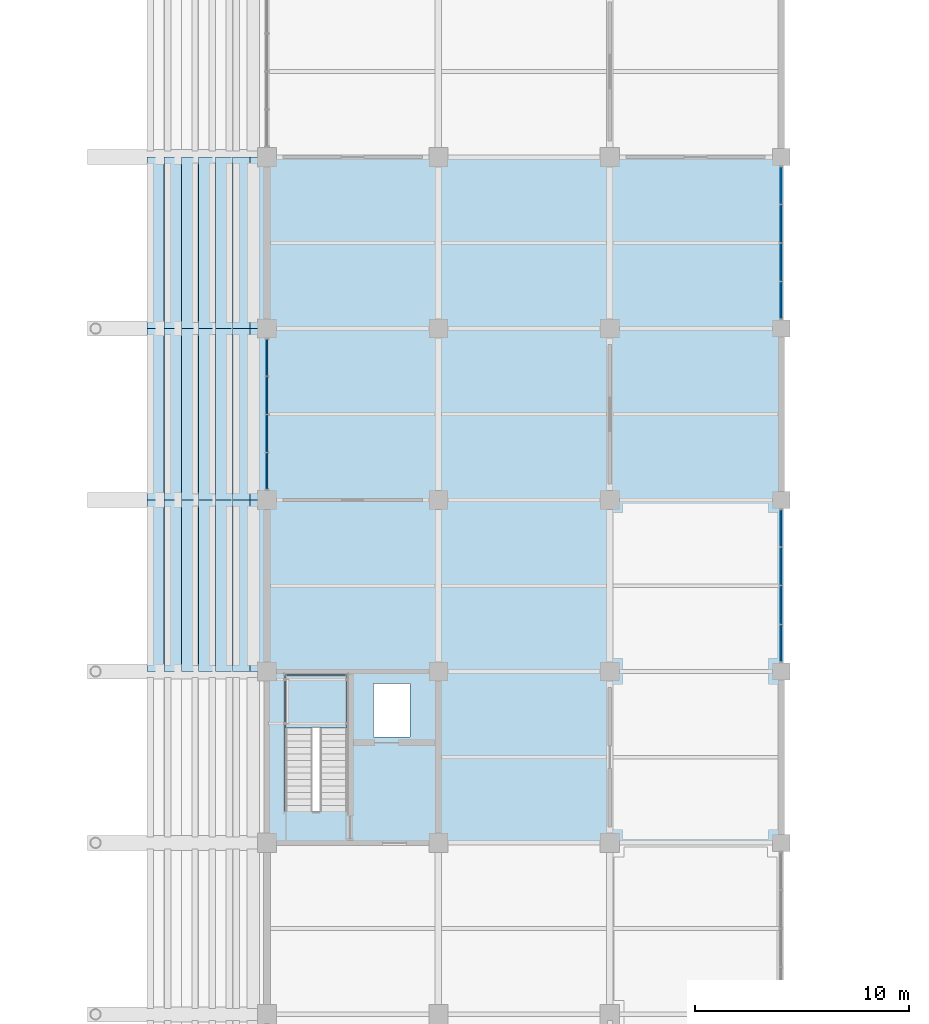
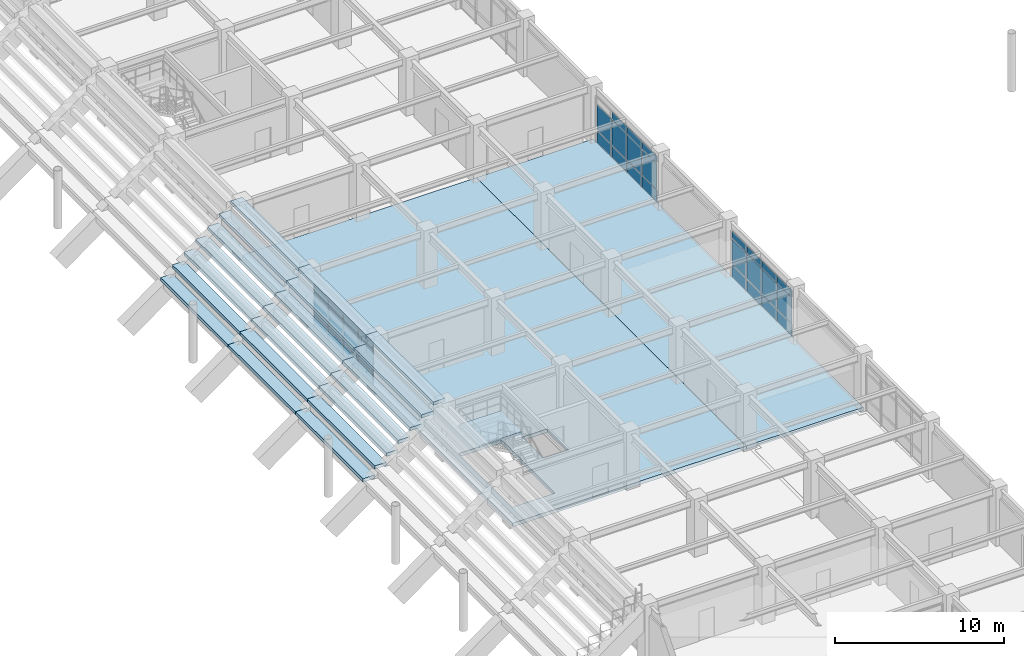
# One storey, part 75 of 118: 35 plates, 24 slabs, 4 elements without a shape of their own.
"""IFC4 building model written with IfcOpenShell, lengths in metres."""

from ifc_helpers import new_model, si_unit, direction, frame, origin, origin_2d, place, context, subcontext, project, spatial, polyline, rectangle, outline, extrude, material, layer, layer_set, type_object, element, aggregate, save


model = new_model("IFC4")

# Units and contexts
model_context = context("Model", 3, precision=1e-05, world=origin(), true_north=direction((0.0, 1.0)))
body_context = subcontext(model_context, "Body", "Model", "MODEL_VIEW")
ifc_project = project(units=[si_unit("LENGTHUNIT", "METRE"), si_unit("AREAUNIT", "SQUARE_METRE"), si_unit("VOLUMEUNIT", "CUBIC_METRE"), si_unit("PLANEANGLEUNIT", "RADIAN"), si_unit("MASSUNIT", "GRAM", prefix="KILO")], contexts=[model_context])

# Site, building, storey
site_placement = place(None, origin())
site = spatial("IfcSite", under=ifc_project, at=site_placement, CompositionType="ELEMENT")
building_placement = place(site_placement, origin())
building = spatial("IfcBuilding", under=site, at=building_placement, Name="Haebicheon Civic Stadium", CompositionType="ELEMENT")
storey_placement = place(building_placement, frame((0.0, 0.0, 14.39990234375)))
storey = spatial("IfcBuildingStorey", under=building, at=storey_placement, Name="L04", CompositionType="ELEMENT", Elevation=14.39990234375)

# Curtain wall, plates
ifc_material_1 = material(Name="Anodised aluminium and laminated glass", Category="aluminium")
ifc_layer_1 = layer(ifc_material_1, 0.179931640625, Name="Anodised aluminium and laminated glass")
ifc_layer_set_1 = layer_set([ifc_layer_1], Name="Anodised aluminium and laminated glass")
curtain_wall_type_1 = type_object("IfcCurtainWallType", Name="CW-7100x3100", PredefinedType="NOTDEFINED", material=ifc_layer_set_1)
curtain_wall_1_placement = place(storey_placement, origin())
curtain_wall_1 = element("IfcCurtainWall", 1, at=curtain_wall_1_placement, inside=storey, type_object=curtain_wall_type_1, material=ifc_layer_set_1, Name="L04 unitised curtain wall 144", PredefinedType="NOTDEFINED")
ifc_material_2 = material(Name="Double low-e acoustic laminated glass", Category="glass")
ifc_layer_2 = layer(ifc_material_2, 0.035888671875, Name="Double low-e acoustic laminated glass")
ifc_layer_set_2 = layer_set([ifc_layer_2], Name="Double low-e acoustic laminated glass")
plate_type_1 = type_object("IfcPlateType", Name="CWP-GLZ-36", PredefinedType="CURTAIN_PANEL", material=ifc_layer_set_2)
plate_1_placement = place(storey_placement, frame((144.0, 81.35498046875, 0.93505859375), z_axis=(0.0, 0.0, 1.0), x_axis=(0.0, 1.0, 0.0)))
plate_1 = element("IfcPlate", 2, at=plate_1_placement, type_object=plate_type_1, material=ifc_layer_set_2, Name="CW-L04-144 vision panel 1.2", PredefinedType="CURTAIN_PANEL", context=body_context, shape_type="SweptSolid", body=[
    extrude(rectangle(XDim=1.669921875, YDim=0.035888671875, at=origin_2d()), origin(), (0.0, 0.0, 1.0), 1.580078125),
])
plate_2_placement = place(storey_placement, frame((144.0, 83.112060546875, 0.93505859375), z_axis=(0.0, 0.0, 1.0), x_axis=(0.0, 1.0, 0.0)))
plate_2 = element("IfcPlate", 3, at=plate_2_placement, type_object=plate_type_1, material=ifc_layer_set_2, Name="CW-L04-144 vision panel 2.2", PredefinedType="CURTAIN_PANEL", context=body_context, shape_type="SweptSolid", body=[
    extrude(rectangle(XDim=1.705078125, YDim=0.035888671875, at=origin_2d()), origin(), (0.0, 0.0, 1.0), 1.580078125),
])
plate_3_placement = place(storey_placement, frame((144.0, 84.887939453125, 0.93505859375), z_axis=(0.0, 0.0, 1.0), x_axis=(0.0, 1.0, 0.0)))
plate_3 = element("IfcPlate", 4, at=plate_3_placement, type_object=plate_type_1, material=ifc_layer_set_2, Name="CW-L04-144 vision panel 3.2", PredefinedType="CURTAIN_PANEL", context=body_context, shape_type="SweptSolid", body=[
    extrude(rectangle(XDim=1.705078125, YDim=0.035888671875, at=origin_2d()), origin(), (0.0, 0.0, 1.0), 1.580078125),
])
plate_4_placement = place(storey_placement, frame((144.0, 86.64501953125, 0.93505859375), z_axis=(0.0, 0.0, 1.0), x_axis=(0.0, 1.0, 0.0)))
plate_4 = element("IfcPlate", 5, at=plate_4_placement, type_object=plate_type_1, material=ifc_layer_set_2, Name="CW-L04-144 vision panel 4.2", PredefinedType="CURTAIN_PANEL", context=body_context, shape_type="SweptSolid", body=[
    extrude(rectangle(XDim=1.669921875, YDim=0.035888671875, at=origin_2d()), origin(), (0.0, 0.0, 1.0), 1.580078125),
])

ifc_material_3 = material(Name="Anodised aluminium and laminated glass", Category="aluminium")
ifc_layer_3 = layer(ifc_material_3, 0.179931640625, Name="Anodised aluminium and laminated glass")
ifc_layer_set_3 = layer_set([ifc_layer_3], Name="Anodised aluminium and laminated glass")
curtain_wall_type_2 = type_object("IfcCurtainWallType", Name="CW-7200x3350", PredefinedType="NOTDEFINED", material=ifc_layer_set_3)
curtain_wall_2_placement = place(storey_placement, origin())
curtain_wall_2 = element("IfcCurtainWall", 6, at=curtain_wall_2_placement, inside=storey, type_object=curtain_wall_type_2, material=ifc_layer_set_3, Name="L04 unitised curtain wall 155", PredefinedType="NOTDEFINED")
plate_5_placement = place(storey_placement, frame((168.0, 73.318115234375, 0.93505859375), z_axis=(0.0, 0.0, 1.0), x_axis=(0.0, 1.0, 0.0)))
plate_5 = element("IfcPlate", 7, at=plate_5_placement, type_object=plate_type_1, material=ifc_layer_set_2, Name="CW-L04-155 vision panel 1.2", PredefinedType="CURTAIN_PANEL", context=body_context, shape_type="SweptSolid", body=[
    extrude(rectangle(XDim=1.695068359375, YDim=0.035888671875, at=origin_2d()), origin(), (0.0, 0.0, 1.0), 1.830078125),
])
plate_6_placement = place(storey_placement, frame((168.0, 75.10009765625, 0.93505859375), z_axis=(0.0, 0.0, 1.0), x_axis=(0.0, 1.0, 0.0)))
plate_6 = element("IfcPlate", 8, at=plate_6_placement, type_object=plate_type_1, material=ifc_layer_set_2, Name="CW-L04-155 vision panel 2.2", PredefinedType="CURTAIN_PANEL", context=body_context, shape_type="SweptSolid", body=[
    extrude(rectangle(XDim=1.72998046875, YDim=0.035888671875, at=origin_2d()), origin(), (0.0, 0.0, 1.0), 1.830078125),
])
plate_7_placement = place(storey_placement, frame((168.0, 76.89990234375, 0.93505859375), z_axis=(0.0, 0.0, 1.0), x_axis=(0.0, 1.0, 0.0)))
plate_7 = element("IfcPlate", 9, at=plate_7_placement, type_object=plate_type_1, material=ifc_layer_set_2, Name="CW-L04-155 vision panel 3.2", PredefinedType="CURTAIN_PANEL", context=body_context, shape_type="SweptSolid", body=[
    extrude(rectangle(XDim=1.72998046875, YDim=0.035888671875, at=origin_2d()), origin(), (0.0, 0.0, 1.0), 1.830078125),
])
plate_8_placement = place(storey_placement, frame((168.0, 78.681884765625, 0.93505859375), z_axis=(0.0, 0.0, 1.0), x_axis=(0.0, 1.0, 0.0)))
plate_8 = element("IfcPlate", 10, at=plate_8_placement, type_object=plate_type_1, material=ifc_layer_set_2, Name="CW-L04-155 vision panel 4.2", PredefinedType="CURTAIN_PANEL", context=body_context, shape_type="SweptSolid", body=[
    extrude(rectangle(XDim=1.695068359375, YDim=0.035888671875, at=origin_2d()), origin(), (0.0, 0.0, 1.0), 1.830078125),
])

curtain_wall_3_placement = place(storey_placement, origin())
curtain_wall_3 = element("IfcCurtainWall", 11, at=curtain_wall_3_placement, inside=storey, type_object=curtain_wall_type_2, material=ifc_layer_set_3, Name="L04 unitised curtain wall 156", PredefinedType="NOTDEFINED")
plate_9_placement = place(storey_placement, frame((168.0, 89.318115234375, 0.93505859375), z_axis=(0.0, 0.0, 1.0), x_axis=(0.0, 1.0, 0.0)))
plate_9 = element("IfcPlate", 12, at=plate_9_placement, type_object=plate_type_1, material=ifc_layer_set_2, Name="CW-L04-156 vision panel 1.2", PredefinedType="CURTAIN_PANEL", context=body_context, shape_type="SweptSolid", body=[
    extrude(rectangle(XDim=1.695068359375, YDim=0.035888671875, at=origin_2d()), origin(), (0.0, 0.0, 1.0), 1.830078125),
])
plate_10_placement = place(storey_placement, frame((168.0, 91.10009765625, 0.93505859375), z_axis=(0.0, 0.0, 1.0), x_axis=(0.0, 1.0, 0.0)))
plate_10 = element("IfcPlate", 13, at=plate_10_placement, type_object=plate_type_1, material=ifc_layer_set_2, Name="CW-L04-156 vision panel 2.2", PredefinedType="CURTAIN_PANEL", context=body_context, shape_type="SweptSolid", body=[
    extrude(rectangle(XDim=1.72998046875, YDim=0.035888671875, at=origin_2d()), origin(), (0.0, 0.0, 1.0), 1.830078125),
])
plate_11_placement = place(storey_placement, frame((168.0, 92.89990234375, 0.93505859375), z_axis=(0.0, 0.0, 1.0), x_axis=(0.0, 1.0, 0.0)))
plate_11 = element("IfcPlate", 14, at=plate_11_placement, type_object=plate_type_1, material=ifc_layer_set_2, Name="CW-L04-156 vision panel 3.2", PredefinedType="CURTAIN_PANEL", context=body_context, shape_type="SweptSolid", body=[
    extrude(rectangle(XDim=1.72998046875, YDim=0.035888671875, at=origin_2d()), origin(), (0.0, 0.0, 1.0), 1.830078125),
])
plate_12_placement = place(storey_placement, frame((168.0, 94.681884765625, 0.93505859375), z_axis=(0.0, 0.0, 1.0), x_axis=(0.0, 1.0, 0.0)))
plate_12 = element("IfcPlate", 15, at=plate_12_placement, type_object=plate_type_1, material=ifc_layer_set_2, Name="CW-L04-156 vision panel 4.2", PredefinedType="CURTAIN_PANEL", context=body_context, shape_type="SweptSolid", body=[
    extrude(rectangle(XDim=1.695068359375, YDim=0.035888671875, at=origin_2d()), origin(), (0.0, 0.0, 1.0), 1.830078125),
])

# Plate
ifc_material_4 = material(Name="Anodised aluminium 6063-T6", Category="aluminium")
ifc_layer_4 = layer(ifc_material_4, 0.053955078125, Name="Anodised aluminium 6063-T6")
ifc_layer_set_4 = layer_set([ifc_layer_4], Name="Anodised aluminium 6063-T6")
plate_type_2 = type_object("IfcPlateType", Name="CWP-SPD-54", PredefinedType="CURTAIN_PANEL", material=ifc_layer_set_4)
plate_13_placement = place(storey_placement, frame((144.0, 81.35498046875, 0.03515625), z_axis=(0.0, 0.0, 1.0), x_axis=(0.0, 1.0, 0.0)))
plate_13 = element("IfcPlate", 16, at=plate_13_placement, type_object=plate_type_2, material=ifc_layer_set_4, Name="CW-L04-144 spandrel panel 1.1", PredefinedType="CURTAIN_PANEL", context=body_context, shape_type="SweptSolid", body=[
    extrude(rectangle(XDim=1.669921875, YDim=0.053955078125, at=origin_2d()), origin(), (0.0, 0.0, 1.0), 0.830078125),
])

plate_14_placement = place(storey_placement, frame((144.0, 81.35498046875, 2.585205078125), z_axis=(0.0, 0.0, 1.0), x_axis=(0.0, 1.0, 0.0)))
plate_14 = element("IfcPlate", 17, at=plate_14_placement, type_object=plate_type_2, material=ifc_layer_set_4, Name="CW-L04-144 spandrel panel 1.3", PredefinedType="CURTAIN_PANEL", context=body_context, shape_type="SweptSolid", body=[
    extrude(rectangle(XDim=1.669921875, YDim=0.053955078125, at=origin_2d()), origin(), (0.0, 0.0, 1.0), 0.47998046875),
])

plate_15_placement = place(storey_placement, frame((144.0, 83.112060546875, 0.03515625), z_axis=(0.0, 0.0, 1.0), x_axis=(0.0, 1.0, 0.0)))
plate_15 = element("IfcPlate", 18, at=plate_15_placement, type_object=plate_type_2, material=ifc_layer_set_4, Name="CW-L04-144 spandrel panel 2.1", PredefinedType="CURTAIN_PANEL", context=body_context, shape_type="SweptSolid", body=[
    extrude(rectangle(XDim=1.705078125, YDim=0.053955078125, at=origin_2d()), origin(), (0.0, 0.0, 1.0), 0.830078125),
])

plate_16_placement = place(storey_placement, frame((144.0, 83.112060546875, 2.585205078125), z_axis=(0.0, 0.0, 1.0), x_axis=(0.0, 1.0, 0.0)))
plate_16 = element("IfcPlate", 19, at=plate_16_placement, type_object=plate_type_2, material=ifc_layer_set_4, Name="CW-L04-144 spandrel panel 2.3", PredefinedType="CURTAIN_PANEL", context=body_context, shape_type="SweptSolid", body=[
    extrude(rectangle(XDim=1.705078125, YDim=0.053955078125, at=origin_2d()), origin(), (0.0, 0.0, 1.0), 0.47998046875),
])

plate_17_placement = place(storey_placement, frame((144.0, 84.887939453125, 0.03515625), z_axis=(0.0, 0.0, 1.0), x_axis=(0.0, 1.0, 0.0)))
plate_17 = element("IfcPlate", 20, at=plate_17_placement, type_object=plate_type_2, material=ifc_layer_set_4, Name="CW-L04-144 spandrel panel 3.1", PredefinedType="CURTAIN_PANEL", context=body_context, shape_type="SweptSolid", body=[
    extrude(rectangle(XDim=1.705078125, YDim=0.053955078125, at=origin_2d()), origin(), (0.0, 0.0, 1.0), 0.830078125),
])

plate_18_placement = place(storey_placement, frame((144.0, 84.887939453125, 2.585205078125), z_axis=(0.0, 0.0, 1.0), x_axis=(0.0, 1.0, 0.0)))
plate_18 = element("IfcPlate", 21, at=plate_18_placement, type_object=plate_type_2, material=ifc_layer_set_4, Name="CW-L04-144 spandrel panel 3.3", PredefinedType="CURTAIN_PANEL", context=body_context, shape_type="SweptSolid", body=[
    extrude(rectangle(XDim=1.705078125, YDim=0.053955078125, at=origin_2d()), origin(), (0.0, 0.0, 1.0), 0.47998046875),
])

plate_19_placement = place(storey_placement, frame((144.0, 86.64501953125, 0.03515625), z_axis=(0.0, 0.0, 1.0), x_axis=(0.0, 1.0, 0.0)))
plate_19 = element("IfcPlate", 22, at=plate_19_placement, type_object=plate_type_2, material=ifc_layer_set_4, Name="CW-L04-144 spandrel panel 4.1", PredefinedType="CURTAIN_PANEL", context=body_context, shape_type="SweptSolid", body=[
    extrude(rectangle(XDim=1.669921875, YDim=0.053955078125, at=origin_2d()), origin(), (0.0, 0.0, 1.0), 0.830078125),
])

plate_20_placement = place(storey_placement, frame((144.0, 86.64501953125, 2.585205078125), z_axis=(0.0, 0.0, 1.0), x_axis=(0.0, 1.0, 0.0)))
plate_20 = element("IfcPlate", 23, at=plate_20_placement, type_object=plate_type_2, material=ifc_layer_set_4, Name="CW-L04-144 spandrel panel 4.3", PredefinedType="CURTAIN_PANEL", context=body_context, shape_type="SweptSolid", body=[
    extrude(rectangle(XDim=1.669921875, YDim=0.053955078125, at=origin_2d()), origin(), (0.0, 0.0, 1.0), 0.47998046875),
])

aggregate(curtain_wall_1, [plate_13, plate_1, plate_14, plate_15, plate_2, plate_16, plate_17, plate_3, plate_18, plate_19, plate_4, plate_20])

plate_21_placement = place(storey_placement, frame((168.0, 73.318115234375, 0.03515625), z_axis=(0.0, 0.0, 1.0), x_axis=(0.0, 1.0, 0.0)))
plate_21 = element("IfcPlate", 24, at=plate_21_placement, type_object=plate_type_2, material=ifc_layer_set_4, Name="CW-L04-155 spandrel panel 1.1", PredefinedType="CURTAIN_PANEL", context=body_context, shape_type="SweptSolid", body=[
    extrude(rectangle(XDim=1.695068359375, YDim=0.053955078125, at=origin_2d()), origin(), (0.0, 0.0, 1.0), 0.830078125),
])

plate_22_placement = place(storey_placement, frame((168.0, 73.318115234375, 2.835205078125), z_axis=(0.0, 0.0, 1.0), x_axis=(0.0, 1.0, 0.0)))
plate_22 = element("IfcPlate", 25, at=plate_22_placement, type_object=plate_type_2, material=ifc_layer_set_4, Name="CW-L04-155 spandrel panel 1.3", PredefinedType="CURTAIN_PANEL", context=body_context, shape_type="SweptSolid", body=[
    extrude(rectangle(XDim=1.695068359375, YDim=0.053955078125, at=origin_2d()), origin(), (0.0, 0.0, 1.0), 0.47998046875),
])

plate_23_placement = place(storey_placement, frame((168.0, 75.10009765625, 0.03515625), z_axis=(0.0, 0.0, 1.0), x_axis=(0.0, 1.0, 0.0)))
plate_23 = element("IfcPlate", 26, at=plate_23_placement, type_object=plate_type_2, material=ifc_layer_set_4, Name="CW-L04-155 spandrel panel 2.1", PredefinedType="CURTAIN_PANEL", context=body_context, shape_type="SweptSolid", body=[
    extrude(rectangle(XDim=1.72998046875, YDim=0.053955078125, at=origin_2d()), origin(), (0.0, 0.0, 1.0), 0.830078125),
])

plate_24_placement = place(storey_placement, frame((168.0, 75.10009765625, 2.835205078125), z_axis=(0.0, 0.0, 1.0), x_axis=(0.0, 1.0, 0.0)))
plate_24 = element("IfcPlate", 27, at=plate_24_placement, type_object=plate_type_2, material=ifc_layer_set_4, Name="CW-L04-155 spandrel panel 2.3", PredefinedType="CURTAIN_PANEL", context=body_context, shape_type="SweptSolid", body=[
    extrude(rectangle(XDim=1.72998046875, YDim=0.053955078125, at=origin_2d()), origin(), (0.0, 0.0, 1.0), 0.47998046875),
])

plate_25_placement = place(storey_placement, frame((168.0, 76.89990234375, 0.03515625), z_axis=(0.0, 0.0, 1.0), x_axis=(0.0, 1.0, 0.0)))
plate_25 = element("IfcPlate", 28, at=plate_25_placement, type_object=plate_type_2, material=ifc_layer_set_4, Name="CW-L04-155 spandrel panel 3.1", PredefinedType="CURTAIN_PANEL", context=body_context, shape_type="SweptSolid", body=[
    extrude(rectangle(XDim=1.72998046875, YDim=0.053955078125, at=origin_2d()), origin(), (0.0, 0.0, 1.0), 0.830078125),
])

plate_26_placement = place(storey_placement, frame((168.0, 76.89990234375, 2.835205078125), z_axis=(0.0, 0.0, 1.0), x_axis=(0.0, 1.0, 0.0)))
plate_26 = element("IfcPlate", 29, at=plate_26_placement, type_object=plate_type_2, material=ifc_layer_set_4, Name="CW-L04-155 spandrel panel 3.3", PredefinedType="CURTAIN_PANEL", context=body_context, shape_type="SweptSolid", body=[
    extrude(rectangle(XDim=1.72998046875, YDim=0.053955078125, at=origin_2d()), origin(), (0.0, 0.0, 1.0), 0.47998046875),
])

plate_27_placement = place(storey_placement, frame((168.0, 78.681884765625, 0.03515625), z_axis=(0.0, 0.0, 1.0), x_axis=(0.0, 1.0, 0.0)))
plate_27 = element("IfcPlate", 30, at=plate_27_placement, type_object=plate_type_2, material=ifc_layer_set_4, Name="CW-L04-155 spandrel panel 4.1", PredefinedType="CURTAIN_PANEL", context=body_context, shape_type="SweptSolid", body=[
    extrude(rectangle(XDim=1.695068359375, YDim=0.053955078125, at=origin_2d()), origin(), (0.0, 0.0, 1.0), 0.830078125),
])

plate_28_placement = place(storey_placement, frame((168.0, 78.681884765625, 2.835205078125), z_axis=(0.0, 0.0, 1.0), x_axis=(0.0, 1.0, 0.0)))
plate_28 = element("IfcPlate", 31, at=plate_28_placement, type_object=plate_type_2, material=ifc_layer_set_4, Name="CW-L04-155 spandrel panel 4.3", PredefinedType="CURTAIN_PANEL", context=body_context, shape_type="SweptSolid", body=[
    extrude(rectangle(XDim=1.695068359375, YDim=0.053955078125, at=origin_2d()), origin(), (0.0, 0.0, 1.0), 0.47998046875),
])

aggregate(curtain_wall_2, [plate_21, plate_5, plate_22, plate_23, plate_6, plate_24, plate_25, plate_7, plate_26, plate_27, plate_8, plate_28])

plate_29_placement = place(storey_placement, frame((168.0, 89.318115234375, 0.03515625), z_axis=(0.0, 0.0, 1.0), x_axis=(0.0, 1.0, 0.0)))
plate_29 = element("IfcPlate", 32, at=plate_29_placement, type_object=plate_type_2, material=ifc_layer_set_4, Name="CW-L04-156 spandrel panel 1.1", PredefinedType="CURTAIN_PANEL", context=body_context, shape_type="SweptSolid", body=[
    extrude(rectangle(XDim=1.695068359375, YDim=0.053955078125, at=origin_2d()), origin(), (0.0, 0.0, 1.0), 0.830078125),
])

plate_30_placement = place(storey_placement, frame((168.0, 89.318115234375, 2.835205078125), z_axis=(0.0, 0.0, 1.0), x_axis=(0.0, 1.0, 0.0)))
plate_30 = element("IfcPlate", 33, at=plate_30_placement, type_object=plate_type_2, material=ifc_layer_set_4, Name="CW-L04-156 spandrel panel 1.3", PredefinedType="CURTAIN_PANEL", context=body_context, shape_type="SweptSolid", body=[
    extrude(rectangle(XDim=1.695068359375, YDim=0.053955078125, at=origin_2d()), origin(), (0.0, 0.0, 1.0), 0.47998046875),
])

plate_31_placement = place(storey_placement, frame((168.0, 91.10009765625, 0.03515625), z_axis=(0.0, 0.0, 1.0), x_axis=(0.0, 1.0, 0.0)))
plate_31 = element("IfcPlate", 34, at=plate_31_placement, type_object=plate_type_2, material=ifc_layer_set_4, Name="CW-L04-156 spandrel panel 2.1", PredefinedType="CURTAIN_PANEL", context=body_context, shape_type="SweptSolid", body=[
    extrude(rectangle(XDim=1.72998046875, YDim=0.053955078125, at=origin_2d()), origin(), (0.0, 0.0, 1.0), 0.830078125),
])

plate_32_placement = place(storey_placement, frame((168.0, 91.10009765625, 2.835205078125), z_axis=(0.0, 0.0, 1.0), x_axis=(0.0, 1.0, 0.0)))
plate_32 = element("IfcPlate", 35, at=plate_32_placement, type_object=plate_type_2, material=ifc_layer_set_4, Name="CW-L04-156 spandrel panel 2.3", PredefinedType="CURTAIN_PANEL", context=body_context, shape_type="SweptSolid", body=[
    extrude(rectangle(XDim=1.72998046875, YDim=0.053955078125, at=origin_2d()), origin(), (0.0, 0.0, 1.0), 0.47998046875),
])

plate_33_placement = place(storey_placement, frame((168.0, 92.89990234375, 0.03515625), z_axis=(0.0, 0.0, 1.0), x_axis=(0.0, 1.0, 0.0)))
plate_33 = element("IfcPlate", 36, at=plate_33_placement, type_object=plate_type_2, material=ifc_layer_set_4, Name="CW-L04-156 spandrel panel 3.1", PredefinedType="CURTAIN_PANEL", context=body_context, shape_type="SweptSolid", body=[
    extrude(rectangle(XDim=1.72998046875, YDim=0.053955078125, at=origin_2d()), origin(), (0.0, 0.0, 1.0), 0.830078125),
])

plate_34_placement = place(storey_placement, frame((168.0, 92.89990234375, 2.835205078125), z_axis=(0.0, 0.0, 1.0), x_axis=(0.0, 1.0, 0.0)))
plate_34 = element("IfcPlate", 37, at=plate_34_placement, type_object=plate_type_2, material=ifc_layer_set_4, Name="CW-L04-156 spandrel panel 3.3", PredefinedType="CURTAIN_PANEL", context=body_context, shape_type="SweptSolid", body=[
    extrude(rectangle(XDim=1.72998046875, YDim=0.053955078125, at=origin_2d()), origin(), (0.0, 0.0, 1.0), 0.47998046875),
])

plate_35_placement = place(storey_placement, frame((168.0, 94.681884765625, 0.03515625), z_axis=(0.0, 0.0, 1.0), x_axis=(0.0, 1.0, 0.0)))
plate_35 = element("IfcPlate", 38, at=plate_35_placement, type_object=plate_type_2, material=ifc_layer_set_4, Name="CW-L04-156 spandrel panel 4.1", PredefinedType="CURTAIN_PANEL", context=body_context, shape_type="SweptSolid", body=[
    extrude(rectangle(XDim=1.695068359375, YDim=0.053955078125, at=origin_2d()), origin(), (0.0, 0.0, 1.0), 0.830078125),
])

aggregate(curtain_wall_3, [plate_29, plate_9, plate_30, plate_31, plate_10, plate_32, plate_33, plate_11, plate_34, plate_35, plate_12])

# Slabs
ifc_material_5 = material(Name="Concrete C40/50", Category="concrete")
ifc_layer_5 = layer(ifc_material_5, 0.260009765625, Name="Concrete C40/50")
ifc_layer_set_5 = layer_set([ifc_layer_5], Name="Concrete C40/50")
slab_type_1 = type_object("IfcSlabType", Name="SLB-FLR-260", PredefinedType="FLOOR", material=ifc_layer_set_5)
slab_1_placement = place(storey_placement, frame((0.0, 0.0, -0.260009765625)))
element("IfcSlab", 39, at=slab_1_placement, inside=storey, type_object=slab_type_1, material=ifc_layer_set_5, Name="L04 V2 structural slab 9.1", PredefinedType="FLOOR", context=body_context, shape_type="SweptSolid", body=[
    extrude(outline(polyline([(144.0, 80.0), (144.0, 88.0), (144.0, 96.0), (152.0, 96.0), (160.0, 96.0), (160.0, 88.0), (160.0, 80.0), (160.0, 72.0), (160.0, 64.0), (152.0, 64.0), (144.0, 64.0), (144.0, 72.0), (144.0, 80.0)]), holes=[polyline([(144.840087890625, 65.4599609375), (147.739990234375, 65.4599609375), (147.739990234375, 71.840087890625), (144.840087890625, 71.840087890625), (144.840087890625, 65.4599609375)]), polyline([(148.969970703125, 68.929931640625), (150.669921875, 68.929931640625), (150.669921875, 71.429931640625), (148.969970703125, 71.429931640625), (148.969970703125, 68.929931640625)])]), origin(), (0.0, 0.0, 1.0), 0.260009765625),
])
slab_2_placement = place(storey_placement, frame((0.0, 0.0, -0.260009765625)))
element("IfcSlab", 40, at=slab_2_placement, inside=storey, type_object=slab_type_1, material=ifc_layer_set_5, Name="L04 V4 structural slab 3.1", PredefinedType="FLOOR", context=body_context, shape_type="SweptSolid", body=[
    extrude(outline(polyline([(160.0, 64.0), (160.0, 72.0), (160.0, 80.0), (160.0, 88.0), (160.0, 96.0), (168.0, 96.0), (168.0, 88.0), (168.0, 80.0), (168.0, 72.0), (168.0, 64.0), (160.0, 64.0)])), origin(), (0.0, 0.0, 1.0), 0.260009765625),
])

# Stair, slab
ifc_material_6 = material(Name="Concrete C40/50", Category="concrete")
stair_type = type_object("IfcStairType", Name="STR-DL-W128-H42", PredefinedType="HALF_TURN_STAIR", material=ifc_material_6)
stair_placement = place(storey_placement, origin())
stair = element("IfcStair", 41, at=stair_placement, inside=storey, type_object=stair_type, material=ifc_material_6, Name="L04 Escape stair ST-10", PredefinedType="HALF_TURN_STAIR")
ifc_material_7 = material(Name="Concrete C40/50", Category="concrete")
ifc_layer_6 = layer(ifc_material_7, 0.199951171875, Name="Concrete C40/50")
ifc_layer_set_6 = layer_set([ifc_layer_6], Name="Concrete C40/50")
slab_type_2 = type_object("IfcSlabType", Name="SLB-LND-200", PredefinedType="LANDING", material=ifc_layer_set_6)
slab_3_placement = place(storey_placement, frame((0.0, 0.0, 1.900146484375)))
slab_3 = element("IfcSlab", 42, at=slab_3_placement, type_object=slab_type_2, material=ifc_layer_set_6, Name="ST-10 landing 1", PredefinedType="LANDING", context=body_context, shape_type="SweptSolid", body=[
    extrude(outline(polyline([(147.739990234375, 69.35009765625), (147.739990234375, 71.840087890625), (144.840087890625, 71.840087890625), (144.840087890625, 69.35009765625), (147.739990234375, 69.35009765625)])), origin(), (0.0, 0.0, 1.0), 0.199951171875),
])
aggregate(stair, [slab_3])

# Slabs
ifc_material_8 = material(Name="Precast concrete C40/50", Category="concrete")
ifc_layer_7 = layer(ifc_material_8, 0.239990234375, Name="Precast concrete C40/50")
ifc_layer_set_7 = layer_set([ifc_layer_7], Name="Precast concrete C40/50")
slab_type_3 = type_object("IfcSlabType", Name="SLB-TIER-240", PredefinedType="USERDEFINED", material=ifc_layer_set_7)
slab_4_placement = place(storey_placement, frame((0.0, 0.0, 0.093017578125)))
element("IfcSlab", 43, at=slab_4_placement, inside=storey, type_object=slab_type_3, material=ifc_layer_set_7, Name="TIER-E-U precast seating tier bay 4 row-band 4", ObjectType="SEATING TIER", PredefinedType="USERDEFINED", context=body_context, shape_type="SweptSolid", body=[
    extrude(outline(polyline([(138.39990234375, 72.0), (139.199951171875, 72.0), (139.199951171875, 80.0), (138.39990234375, 80.0), (138.39990234375, 72.0)])), origin(), (0.0, 0.0, 1.0), 0.239990234375),
])
slab_5_placement = place(storey_placement, frame((0.0, 0.0, 0.738037109375)))
element("IfcSlab", 44, at=slab_5_placement, inside=storey, type_object=slab_type_3, material=ifc_layer_set_7, Name="TIER-E-U precast seating tier bay 4 row-band 5", ObjectType="SEATING TIER", PredefinedType="USERDEFINED", context=body_context, shape_type="SweptSolid", body=[
    extrude(outline(polyline([(139.199951171875, 72.0), (140.0, 72.0), (140.0, 80.0), (139.199951171875, 80.0), (139.199951171875, 72.0)])), origin(), (0.0, 0.0, 1.0), 0.239990234375),
])
slab_6_placement = place(storey_placement, frame((0.0, 0.0, 1.382080078125)))
element("IfcSlab", 45, at=slab_6_placement, inside=storey, type_object=slab_type_3, material=ifc_layer_set_7, Name="TIER-E-U precast seating tier bay 4 row-band 6", ObjectType="SEATING TIER", PredefinedType="USERDEFINED", context=body_context, shape_type="SweptSolid", body=[
    extrude(outline(polyline([(140.0, 72.0), (140.800048828125, 72.0), (140.800048828125, 80.0), (140.0, 80.0), (140.0, 72.0)])), origin(), (0.0, 0.0, 1.0), 0.239990234375),
])
slab_7_placement = place(storey_placement, frame((0.0, 0.0, 2.027099609375)))
element("IfcSlab", 46, at=slab_7_placement, inside=storey, type_object=slab_type_3, material=ifc_layer_set_7, Name="TIER-E-U precast seating tier bay 4 row-band 7", ObjectType="SEATING TIER", PredefinedType="USERDEFINED", context=body_context, shape_type="SweptSolid", body=[
    extrude(outline(polyline([(140.800048828125, 72.0), (141.60009765625, 72.0), (141.60009765625, 80.0), (140.800048828125, 80.0), (140.800048828125, 72.0)])), origin(), (0.0, 0.0, 1.0), 0.239990234375),
])
slab_8_placement = place(storey_placement, frame((0.0, 0.0, 2.671142578125)))
element("IfcSlab", 47, at=slab_8_placement, inside=storey, type_object=slab_type_3, material=ifc_layer_set_7, Name="TIER-E-U precast seating tier bay 4 row-band 8", ObjectType="SEATING TIER", PredefinedType="USERDEFINED", context=body_context, shape_type="SweptSolid", body=[
    extrude(outline(polyline([(141.60009765625, 72.0), (142.39990234375, 72.0), (142.39990234375, 80.0), (141.60009765625, 80.0), (141.60009765625, 72.0)])), origin(), (0.0, 0.0, 1.0), 0.239990234375),
])
slab_9_placement = place(storey_placement, frame((0.0, 0.0, 3.316162109375)))
element("IfcSlab", 48, at=slab_9_placement, inside=storey, type_object=slab_type_3, material=ifc_layer_set_7, Name="TIER-E-U precast seating tier bay 4 row-band 9", ObjectType="SEATING TIER", PredefinedType="USERDEFINED", context=body_context, shape_type="SweptSolid", body=[
    extrude(outline(polyline([(142.39990234375, 72.0), (143.199951171875, 72.0), (143.199951171875, 80.0), (142.39990234375, 80.0), (142.39990234375, 72.0)])), origin(), (0.0, 0.0, 1.0), 0.239990234375),
])
slab_10_placement = place(storey_placement, frame((0.0, 0.0, 3.960205078125)))
element("IfcSlab", 49, at=slab_10_placement, inside=storey, type_object=slab_type_3, material=ifc_layer_set_7, Name="TIER-E-U precast seating tier bay 4 row-band 10", ObjectType="SEATING TIER", PredefinedType="USERDEFINED", context=body_context, shape_type="SweptSolid", body=[
    extrude(outline(polyline([(143.199951171875, 72.0), (144.0, 72.0), (144.0, 80.0), (143.199951171875, 80.0), (143.199951171875, 72.0)])), origin(), (0.0, 0.0, 1.0), 0.239990234375),
])
slab_11_placement = place(storey_placement, frame((0.0, 0.0, 0.093017578125)))
element("IfcSlab", 50, at=slab_11_placement, inside=storey, type_object=slab_type_3, material=ifc_layer_set_7, Name="TIER-E-U precast seating tier bay 5 row-band 4", ObjectType="SEATING TIER", PredefinedType="USERDEFINED", context=body_context, shape_type="SweptSolid", body=[
    extrude(outline(polyline([(138.39990234375, 80.0), (139.199951171875, 80.0), (139.199951171875, 88.0), (138.39990234375, 88.0), (138.39990234375, 80.0)])), origin(), (0.0, 0.0, 1.0), 0.239990234375),
])
slab_12_placement = place(storey_placement, frame((0.0, 0.0, 0.738037109375)))
element("IfcSlab", 51, at=slab_12_placement, inside=storey, type_object=slab_type_3, material=ifc_layer_set_7, Name="TIER-E-U precast seating tier bay 5 row-band 5", ObjectType="SEATING TIER", PredefinedType="USERDEFINED", context=body_context, shape_type="SweptSolid", body=[
    extrude(outline(polyline([(139.199951171875, 80.0), (140.0, 80.0), (140.0, 88.0), (139.199951171875, 88.0), (139.199951171875, 80.0)])), origin(), (0.0, 0.0, 1.0), 0.239990234375),
])
slab_13_placement = place(storey_placement, frame((0.0, 0.0, 1.382080078125)))
element("IfcSlab", 52, at=slab_13_placement, inside=storey, type_object=slab_type_3, material=ifc_layer_set_7, Name="TIER-E-U precast seating tier bay 5 row-band 6", ObjectType="SEATING TIER", PredefinedType="USERDEFINED", context=body_context, shape_type="SweptSolid", body=[
    extrude(outline(polyline([(140.0, 80.0), (140.800048828125, 80.0), (140.800048828125, 88.0), (140.0, 88.0), (140.0, 80.0)])), origin(), (0.0, 0.0, 1.0), 0.239990234375),
])
slab_14_placement = place(storey_placement, frame((0.0, 0.0, 2.027099609375)))
element("IfcSlab", 53, at=slab_14_placement, inside=storey, type_object=slab_type_3, material=ifc_layer_set_7, Name="TIER-E-U precast seating tier bay 5 row-band 7", ObjectType="SEATING TIER", PredefinedType="USERDEFINED", context=body_context, shape_type="SweptSolid", body=[
    extrude(outline(polyline([(140.800048828125, 80.0), (141.60009765625, 80.0), (141.60009765625, 88.0), (140.800048828125, 88.0), (140.800048828125, 80.0)])), origin(), (0.0, 0.0, 1.0), 0.239990234375),
])
slab_15_placement = place(storey_placement, frame((0.0, 0.0, 2.671142578125)))
element("IfcSlab", 54, at=slab_15_placement, inside=storey, type_object=slab_type_3, material=ifc_layer_set_7, Name="TIER-E-U precast seating tier bay 5 row-band 8", ObjectType="SEATING TIER", PredefinedType="USERDEFINED", context=body_context, shape_type="SweptSolid", body=[
    extrude(outline(polyline([(141.60009765625, 80.0), (142.39990234375, 80.0), (142.39990234375, 88.0), (141.60009765625, 88.0), (141.60009765625, 80.0)])), origin(), (0.0, 0.0, 1.0), 0.239990234375),
])
slab_16_placement = place(storey_placement, frame((0.0, 0.0, 3.316162109375)))
element("IfcSlab", 55, at=slab_16_placement, inside=storey, type_object=slab_type_3, material=ifc_layer_set_7, Name="TIER-E-U precast seating tier bay 5 row-band 9", ObjectType="SEATING TIER", PredefinedType="USERDEFINED", context=body_context, shape_type="SweptSolid", body=[
    extrude(outline(polyline([(142.39990234375, 80.0), (143.199951171875, 80.0), (143.199951171875, 88.0), (142.39990234375, 88.0), (142.39990234375, 80.0)])), origin(), (0.0, 0.0, 1.0), 0.239990234375),
])
slab_17_placement = place(storey_placement, frame((0.0, 0.0, 3.960205078125)))
element("IfcSlab", 56, at=slab_17_placement, inside=storey, type_object=slab_type_3, material=ifc_layer_set_7, Name="TIER-E-U precast seating tier bay 5 row-band 10", ObjectType="SEATING TIER", PredefinedType="USERDEFINED", context=body_context, shape_type="SweptSolid", body=[
    extrude(outline(polyline([(143.199951171875, 80.0), (144.0, 80.0), (144.0, 88.0), (143.199951171875, 88.0), (143.199951171875, 80.0)])), origin(), (0.0, 0.0, 1.0), 0.239990234375),
])
slab_18_placement = place(storey_placement, frame((0.0, 0.0, 0.093017578125)))
element("IfcSlab", 57, at=slab_18_placement, inside=storey, type_object=slab_type_3, material=ifc_layer_set_7, Name="TIER-E-U precast seating tier bay 6 row-band 4", ObjectType="SEATING TIER", PredefinedType="USERDEFINED", context=body_context, shape_type="SweptSolid", body=[
    extrude(outline(polyline([(138.39990234375, 88.0), (139.199951171875, 88.0), (139.199951171875, 96.0), (138.39990234375, 96.0), (138.39990234375, 88.0)])), origin(), (0.0, 0.0, 1.0), 0.239990234375),
])
slab_19_placement = place(storey_placement, frame((0.0, 0.0, 0.738037109375)))
element("IfcSlab", 58, at=slab_19_placement, inside=storey, type_object=slab_type_3, material=ifc_layer_set_7, Name="TIER-E-U precast seating tier bay 6 row-band 5", ObjectType="SEATING TIER", PredefinedType="USERDEFINED", context=body_context, shape_type="SweptSolid", body=[
    extrude(outline(polyline([(139.199951171875, 88.0), (140.0, 88.0), (140.0, 96.0), (139.199951171875, 96.0), (139.199951171875, 88.0)])), origin(), (0.0, 0.0, 1.0), 0.239990234375),
])
slab_20_placement = place(storey_placement, frame((0.0, 0.0, 1.382080078125)))
element("IfcSlab", 59, at=slab_20_placement, inside=storey, type_object=slab_type_3, material=ifc_layer_set_7, Name="TIER-E-U precast seating tier bay 6 row-band 6", ObjectType="SEATING TIER", PredefinedType="USERDEFINED", context=body_context, shape_type="SweptSolid", body=[
    extrude(outline(polyline([(140.0, 88.0), (140.800048828125, 88.0), (140.800048828125, 96.0), (140.0, 96.0), (140.0, 88.0)])), origin(), (0.0, 0.0, 1.0), 0.239990234375),
])
slab_21_placement = place(storey_placement, frame((0.0, 0.0, 2.027099609375)))
element("IfcSlab", 60, at=slab_21_placement, inside=storey, type_object=slab_type_3, material=ifc_layer_set_7, Name="TIER-E-U precast seating tier bay 6 row-band 7", ObjectType="SEATING TIER", PredefinedType="USERDEFINED", context=body_context, shape_type="SweptSolid", body=[
    extrude(outline(polyline([(140.800048828125, 88.0), (141.60009765625, 88.0), (141.60009765625, 96.0), (140.800048828125, 96.0), (140.800048828125, 88.0)])), origin(), (0.0, 0.0, 1.0), 0.239990234375),
])
slab_22_placement = place(storey_placement, frame((0.0, 0.0, 2.671142578125)))
element("IfcSlab", 61, at=slab_22_placement, inside=storey, type_object=slab_type_3, material=ifc_layer_set_7, Name="TIER-E-U precast seating tier bay 6 row-band 8", ObjectType="SEATING TIER", PredefinedType="USERDEFINED", context=body_context, shape_type="SweptSolid", body=[
    extrude(outline(polyline([(141.60009765625, 88.0), (142.39990234375, 88.0), (142.39990234375, 96.0), (141.60009765625, 96.0), (141.60009765625, 88.0)])), origin(), (0.0, 0.0, 1.0), 0.239990234375),
])
slab_23_placement = place(storey_placement, frame((0.0, 0.0, 3.316162109375)))
element("IfcSlab", 62, at=slab_23_placement, inside=storey, type_object=slab_type_3, material=ifc_layer_set_7, Name="TIER-E-U precast seating tier bay 6 row-band 9", ObjectType="SEATING TIER", PredefinedType="USERDEFINED", context=body_context, shape_type="SweptSolid", body=[
    extrude(outline(polyline([(142.39990234375, 88.0), (143.199951171875, 88.0), (143.199951171875, 96.0), (142.39990234375, 96.0), (142.39990234375, 88.0)])), origin(), (0.0, 0.0, 1.0), 0.239990234375),
])
slab_24_placement = place(storey_placement, frame((0.0, 0.0, 3.960205078125)))
element("IfcSlab", 63, at=slab_24_placement, inside=storey, type_object=slab_type_3, material=ifc_layer_set_7, Name="TIER-E-U precast seating tier bay 6 row-band 10", ObjectType="SEATING TIER", PredefinedType="USERDEFINED", context=body_context, shape_type="SweptSolid", body=[
    extrude(outline(polyline([(143.199951171875, 88.0), (144.0, 88.0), (144.0, 96.0), (143.199951171875, 96.0), (143.199951171875, 88.0)])), origin(), (0.0, 0.0, 1.0), 0.239990234375),
])

save(model, "model.ifc")
